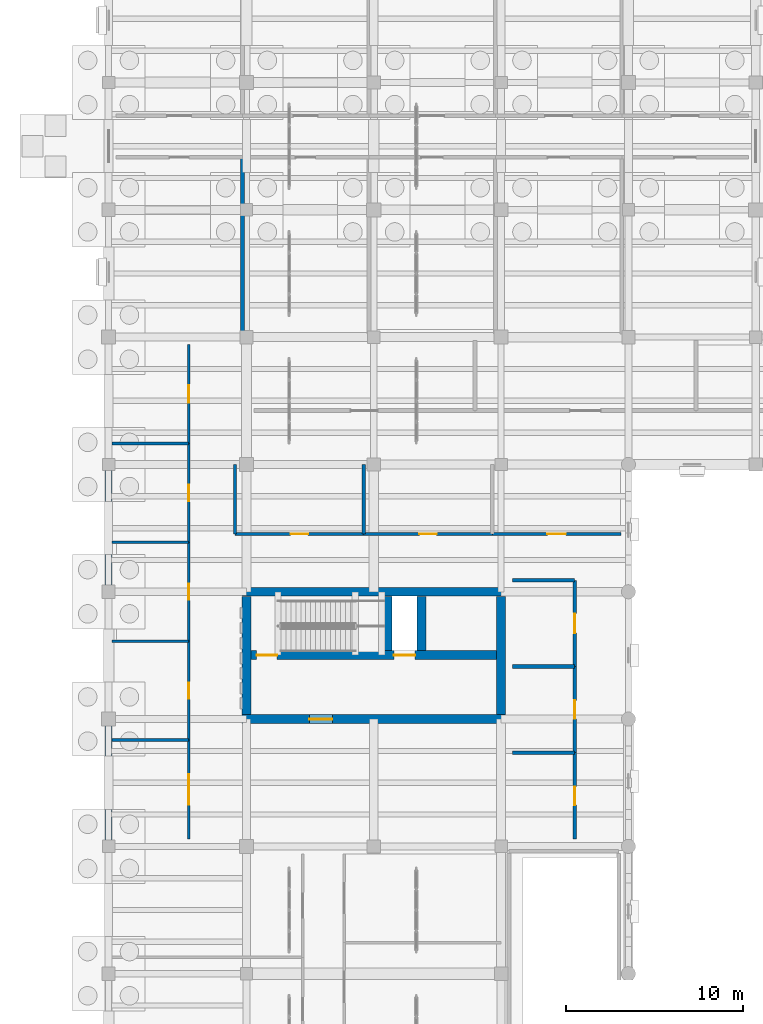
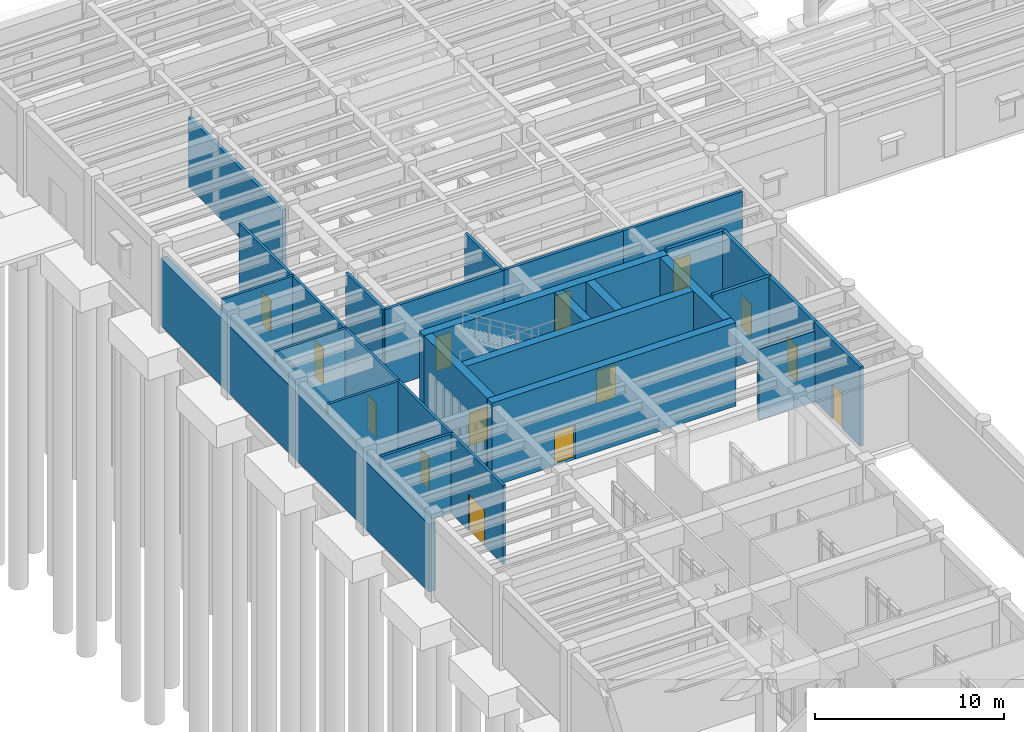
# One storey, part 74 of 100: 29 walls, 14 doors, 14 openings.
"""IFC4 building model written with IfcOpenShell, lengths in metres."""

from ifc_helpers import new_model, si_unit, direction, frame, frame_2d, origin, place, context, subcontext, project, spatial, rectangle, extrude, material, layer, layer_set, type_object, element, fill, save


model = new_model("IFC4")

# Units and contexts
model_context = context("Model", 3, precision=1e-05, world=origin(), true_north=direction((0.0, 1.0)))
body_context = subcontext(model_context, "Body", "Model", "MODEL_VIEW")
ifc_project = project(units=[si_unit("LENGTHUNIT", "METRE"), si_unit("AREAUNIT", "SQUARE_METRE"), si_unit("VOLUMEUNIT", "CUBIC_METRE"), si_unit("PLANEANGLEUNIT", "RADIAN"), si_unit("MASSUNIT", "GRAM", prefix="KILO")], contexts=[model_context])

# Site, building, storey
site_placement = place(None, origin())
site = spatial("IfcSite", under=ifc_project, at=site_placement, CompositionType="ELEMENT")
building_placement = place(site_placement, origin())
building = spatial("IfcBuilding", under=site, at=building_placement, Name="Mithqara Police Headquarters", CompositionType="ELEMENT")
storey_placement = place(building_placement, origin())
storey = spatial("IfcBuildingStorey", under=building, at=storey_placement, Name="L00", CompositionType="ELEMENT", Elevation=0.0)

# Wall, opening, door
ifc_material_1 = material(Name="Gypsum acoustic stud partition", Category="gypsum")
ifc_layer_1 = layer(ifc_material_1, 0.159912109375, Name="Gypsum acoustic stud partition")
ifc_layer_set_1 = layer_set([ifc_layer_1], Name="Gypsum acoustic stud partition")
wall_type_1 = type_object("IfcWallType", Name="PART WALL 160", PredefinedType="PARTITIONING", material=ifc_layer_set_1)
wall_1_placement = place(storey_placement, frame((4.530029296875, 57.419921875, 0.0), z_axis=(0.0, 0.0, 1.0), x_axis=(0.0, 1.0, 0.0)))
wall_1 = element("IfcWall", 1, at=wall_1_placement, inside=storey, type_object=wall_type_1, Name="L00 Corridor Wall Patrol Briefing Room", PredefinedType="PARTITIONING", context=body_context, shape_type="SweptSolid", body=[
    extrude(rectangle(XDim=5.592041015625, YDim=0.159912109375, at=frame_2d((2.7958984375, 0.0))), origin(), (0.0, 0.0, 1.0), 5.1201171875),
])
opening_1_placement = place(wall_1_placement, frame((1.93603515625, 0.0, 0.0)))
opening_1 = element("IfcOpeningElement", 2, at=opening_1_placement, cuts=wall_1, Name="Opening D-24", PredefinedType="OPENING", context=body_context, shape_type="SweptSolid", body=[
    extrude(rectangle(XDim=1.719970703125, YDim=2.35009765625, at=frame_2d((0.85986328125, 1.175048828125))), frame((0.0, 0.08984375, 0.0), z_axis=(0.0, -1.0, 0.0), x_axis=(1.0, 0.0, 0.0)), (0.0, 0.0, 1.0), 0.179931640625),
])
ifc_material_2 = material(Name="Bronze anodised aluminium 6063-T6", Category="aluminium")
door_type_1 = type_object("IfcDoorType", Name="INT DOOR 1720X2350", OperationType="NOTDEFINED", PredefinedType="DOOR", material=ifc_material_2)
door_1_placement = place(opening_1_placement, frame((1.719970703125, 0.0, 0.0), z_axis=(0.0, 0.0, 1.0), x_axis=(-1.0, 0.0, 0.0)))
door_1 = element("IfcDoor", 3, at=door_1_placement, inside=storey, type_object=door_type_1, Name="Patrol Briefing Room Entry Door", OperationType="DOUBLE_DOOR_SINGLE_SWING", OverallHeight=2.35009765625, OverallWidth=1.719970703125, PredefinedType="DOOR", context=body_context, shape_type="SweptSolid", body=[
    extrude(rectangle(XDim=1.719970703125, YDim=2.35009765625, at=frame_2d((0.85986328125, 1.175048828125))), frame((0.0, 0.02490234375, 0.0), z_axis=(0.0, -1.0, 0.0), x_axis=(1.0, 0.0, 0.0)), (0.0, 0.0, 1.0), 0.050048828125),
])
fill(opening_1, door_1)

# Wall
wall_2_placement = place(storey_placement, frame((0.179931640625, 63.011962890625, 0.0), z_axis=(0.0, 0.0, 1.0), x_axis=(1.0, 0.0, 0.0)))
element("IfcWall", 4, at=wall_2_placement, inside=storey, type_object=wall_type_1, Name="L00 Room Partition Patrol Briefing Room", PredefinedType="PARTITIONING", context=body_context, shape_type="SweptSolid", body=[
    extrude(rectangle(XDim=4.35009765625, YDim=0.159912109375, at=frame_2d((2.175048828125, 0.0))), origin(), (0.0, 0.0, 1.0), 5.1201171875),
])

# Wall, opening, door
wall_3_placement = place(storey_placement, frame((4.530029296875, 63.011962890625, 0.0), z_axis=(0.0, 0.0, 1.0), x_axis=(0.0, 1.0, 0.0)))
wall_3 = element("IfcWall", 5, at=wall_3_placement, inside=storey, type_object=wall_type_1, Name="L00 Corridor Wall Field Shift Assembly Room", PredefinedType="PARTITIONING", context=body_context, shape_type="SweptSolid", body=[
    extrude(rectangle(XDim=5.592041015625, YDim=0.159912109375, at=frame_2d((2.7958984375, 0.0))), origin(), (0.0, 0.0, 1.0), 5.1201171875),
])
opening_2_placement = place(wall_3_placement, frame((2.3359375, 0.0, 0.0)))
opening_2 = element("IfcOpeningElement", 6, at=opening_2_placement, cuts=wall_3, Name="Opening D-01", PredefinedType="OPENING", context=body_context, shape_type="SweptSolid", body=[
    extrude(rectangle(XDim=0.919921875, YDim=2.10009765625, at=frame_2d((0.4599609375, 1.050048828125))), frame((0.0, 0.08984375, 0.0), z_axis=(0.0, -1.0, 0.0), x_axis=(1.0, 0.0, 0.0)), (0.0, 0.0, 1.0), 0.179931640625),
])
ifc_material_3 = material(Name="Acoustic solid-core timber leaf", Category="wood")
door_type_2 = type_object("IfcDoorType", Name="INT DOOR 920X2100", OperationType="NOTDEFINED", PredefinedType="DOOR", material=ifc_material_3)
door_2_placement = place(opening_2_placement, frame((0.919921875, 0.0, 0.0), z_axis=(0.0, 0.0, 1.0), x_axis=(-1.0, 0.0, 0.0)))
door_2 = element("IfcDoor", 7, at=door_2_placement, inside=storey, type_object=door_type_2, Name="Field Shift Assembly Room Entry Door", OperationType="SINGLE_SWING_RIGHT", OverallHeight=2.10009765625, OverallWidth=0.919921875, PredefinedType="DOOR", context=body_context, shape_type="SweptSolid", body=[
    extrude(rectangle(XDim=0.919921875, YDim=2.10009765625, at=frame_2d((0.4599609375, 1.050048828125))), frame((0.0, 0.02490234375, 0.0), z_axis=(0.0, -1.0, 0.0), x_axis=(1.0, 0.0, 0.0)), (0.0, 0.0, 1.0), 0.050048828125),
])
fill(opening_2, door_2)

# Wall
wall_4_placement = place(storey_placement, frame((0.179931640625, 68.60400390625, 0.0), z_axis=(0.0, 0.0, 1.0), x_axis=(1.0, 0.0, 0.0)))
element("IfcWall", 8, at=wall_4_placement, inside=storey, type_object=wall_type_1, Name="L00 Room Partition Field Shift Assembly Room", PredefinedType="PARTITIONING", context=body_context, shape_type="SweptSolid", body=[
    extrude(rectangle(XDim=4.35009765625, YDim=0.159912109375, at=frame_2d((2.175048828125, 0.0))), origin(), (0.0, 0.0, 1.0), 5.1201171875),
])

# Wall, opening, door
wall_5_placement = place(storey_placement, frame((4.530029296875, 68.60400390625, 0.0), z_axis=(0.0, 0.0, 1.0), x_axis=(0.0, 1.0, 0.0)))
wall_5 = element("IfcWall", 9, at=wall_5_placement, inside=storey, type_object=wall_type_1, Name="L00 Corridor Wall Report Writing Room", PredefinedType="PARTITIONING", context=body_context, shape_type="SweptSolid", body=[
    extrude(rectangle(XDim=5.592041015625, YDim=0.159912109375, at=frame_2d((2.7958984375, 0.0))), origin(), (0.0, 0.0, 1.0), 5.1201171875),
])
opening_3_placement = place(wall_5_placement, frame((2.3359375, 0.0, 0.0)))
opening_3 = element("IfcOpeningElement", 10, at=opening_3_placement, cuts=wall_5, Name="Opening D-02", PredefinedType="OPENING", context=body_context, shape_type="SweptSolid", body=[
    extrude(rectangle(XDim=0.919921875, YDim=2.219970703125, at=frame_2d((0.4599609375, 1.10986328125))), frame((0.0, 0.08984375, 0.0), z_axis=(0.0, -1.0, 0.0), x_axis=(1.0, 0.0, 0.0)), (0.0, 0.0, 1.0), 0.179931640625),
])
door_type_3 = type_object("IfcDoorType", Name="INT DOOR 920X2220", OperationType="NOTDEFINED", PredefinedType="DOOR", material=ifc_material_3)
door_3_placement = place(opening_3_placement, frame((0.919921875, 0.0, 0.0), z_axis=(0.0, 0.0, 1.0), x_axis=(-1.0, 0.0, 0.0)))
door_3 = element("IfcDoor", 11, at=door_3_placement, inside=storey, type_object=door_type_3, Name="Report Writing Room Entry Door", OperationType="SINGLE_SWING_LEFT", OverallHeight=2.219970703125, OverallWidth=0.919921875, PredefinedType="DOOR", context=body_context, shape_type="SweptSolid", body=[
    extrude(rectangle(XDim=0.919921875, YDim=2.219970703125, at=frame_2d((0.4599609375, 1.10986328125))), frame((0.0, 0.02490234375, 0.0), z_axis=(0.0, -1.0, 0.0), x_axis=(1.0, 0.0, 0.0)), (0.0, 0.0, 1.0), 0.050048828125),
])
fill(opening_3, door_3)

# Wall
wall_6_placement = place(storey_placement, frame((0.179931640625, 74.196044921875, 0.0), z_axis=(0.0, 0.0, 1.0), x_axis=(1.0, 0.0, 0.0)))
element("IfcWall", 12, at=wall_6_placement, inside=storey, type_object=wall_type_1, Name="L00 Room Partition Report Writing Room", PredefinedType="PARTITIONING", context=body_context, shape_type="SweptSolid", body=[
    extrude(rectangle(XDim=4.35009765625, YDim=0.159912109375, at=frame_2d((2.175048828125, 0.0))), origin(), (0.0, 0.0, 1.0), 5.1201171875),
])

# Wall, opening, door
wall_7_placement = place(storey_placement, frame((4.530029296875, 74.196044921875, 0.0), z_axis=(0.0, 0.0, 1.0), x_axis=(0.0, 1.0, 0.0)))
wall_7 = element("IfcWall", 13, at=wall_7_placement, inside=storey, type_object=wall_type_1, Name="L00 Corridor Wall Duty Equipment Store", PredefinedType="PARTITIONING", context=body_context, shape_type="SweptSolid", body=[
    extrude(rectangle(XDim=5.592041015625, YDim=0.159912109375, at=frame_2d((2.7958984375, 0.0))), origin(), (0.0, 0.0, 1.0), 5.1201171875),
])
opening_4_placement = place(wall_7_placement, frame((2.3359375, 0.0, 0.0)))
opening_4 = element("IfcOpeningElement", 14, at=opening_4_placement, cuts=wall_7, Name="Opening D-03", PredefinedType="OPENING", context=body_context, shape_type="SweptSolid", body=[
    extrude(rectangle(XDim=0.919921875, YDim=2.35009765625, at=frame_2d((0.4599609375, 1.175048828125))), frame((0.0, 0.08984375, 0.0), z_axis=(0.0, -1.0, 0.0), x_axis=(1.0, 0.0, 0.0)), (0.0, 0.0, 1.0), 0.179931640625),
])
door_type_4 = type_object("IfcDoorType", Name="INT DOOR 920X2350", OperationType="NOTDEFINED", PredefinedType="DOOR", material=ifc_material_3)
door_4_placement = place(opening_4_placement, frame((0.919921875, 0.0, 0.0), z_axis=(0.0, 0.0, 1.0), x_axis=(-1.0, 0.0, 0.0)))
door_4 = element("IfcDoor", 15, at=door_4_placement, inside=storey, type_object=door_type_4, Name="Duty Equipment Store Entry Door", OperationType="SINGLE_SWING_RIGHT", OverallHeight=2.35009765625, OverallWidth=0.919921875, PredefinedType="DOOR", context=body_context, shape_type="SweptSolid", body=[
    extrude(rectangle(XDim=0.919921875, YDim=2.35009765625, at=frame_2d((0.4599609375, 1.175048828125))), frame((0.0, 0.02490234375, 0.0), z_axis=(0.0, -1.0, 0.0), x_axis=(1.0, 0.0, 0.0)), (0.0, 0.0, 1.0), 0.050048828125),
])
fill(opening_4, door_4)

# Wall
wall_8_placement = place(storey_placement, frame((0.179931640625, 79.7880859375, 0.0), z_axis=(0.0, 0.0, 1.0), x_axis=(1.0, 0.0, 0.0)))
element("IfcWall", 16, at=wall_8_placement, inside=storey, type_object=wall_type_1, Name="L00 Room Partition Duty Equipment Store", PredefinedType="PARTITIONING", context=body_context, shape_type="SweptSolid", body=[
    extrude(rectangle(XDim=4.35009765625, YDim=0.159912109375, at=frame_2d((2.175048828125, 0.0))), origin(), (0.0, 0.0, 1.0), 5.1201171875),
])

# Wall, opening, door
wall_9_placement = place(storey_placement, frame((4.530029296875, 79.7880859375, 0.0), z_axis=(0.0, 0.0, 1.0), x_axis=(0.0, 1.0, 0.0)))
wall_9 = element("IfcWall", 17, at=wall_9_placement, inside=storey, type_object=wall_type_1, Name="L00 Corridor Wall Patrol Briefing Room", PredefinedType="PARTITIONING", context=body_context, shape_type="SweptSolid", body=[
    extrude(rectangle(XDim=5.591796875, YDim=0.159912109375, at=frame_2d((2.7958984375, 0.0))), origin(), (0.0, 0.0, 1.0), 5.1201171875),
])
opening_5_placement = place(wall_9_placement, frame((2.305908203125, 0.0, 0.0)))
opening_5 = element("IfcOpeningElement", 18, at=opening_5_placement, cuts=wall_9, Name="Opening D-04", PredefinedType="OPENING", context=body_context, shape_type="SweptSolid", body=[
    extrude(rectangle(XDim=0.97998046875, YDim=2.10009765625, at=frame_2d((0.489990234375, 1.050048828125))), frame((0.0, 0.08984375, 0.0), z_axis=(0.0, -1.0, 0.0), x_axis=(1.0, 0.0, 0.0)), (0.0, 0.0, 1.0), 0.179931640625),
])
door_type_5 = type_object("IfcDoorType", Name="INT DOOR 980X2100", OperationType="NOTDEFINED", PredefinedType="DOOR", material=ifc_material_3)
door_5_placement = place(opening_5_placement, frame((0.97998046875, 0.0, 0.0), z_axis=(0.0, 0.0, 1.0), x_axis=(-1.0, 0.0, 0.0)))
door_5 = element("IfcDoor", 19, at=door_5_placement, inside=storey, type_object=door_type_5, Name="Patrol Briefing Room Entry Door", OperationType="SINGLE_SWING_LEFT", OverallHeight=2.10009765625, OverallWidth=0.97998046875, PredefinedType="DOOR", context=body_context, shape_type="SweptSolid", body=[
    extrude(rectangle(XDim=0.97998046875, YDim=2.10009765625, at=frame_2d((0.489990234375, 1.050048828125))), frame((0.0, 0.02490234375, 0.0), z_axis=(0.0, -1.0, 0.0), x_axis=(1.0, 0.0, 0.0)), (0.0, 0.0, 1.0), 0.050048828125),
])
fill(opening_5, door_5)

# Wall
ifc_material_4 = material(Name="Concrete C40/50", Category="concrete")
ifc_layer_2 = layer(ifc_material_4, 0.179931640625, Name="Concrete C40/50")
ifc_layer_set_2 = layer_set([ifc_layer_2], Name="Concrete C40/50")
wall_type_2 = type_object("IfcWallType", Name="PART WALL 180", PredefinedType="PARTITIONING", material=ifc_layer_set_2)
wall_10_placement = place(storey_placement, frame((7.14990234375, 74.669921875, 0.0), z_axis=(0.0, 0.0, 1.0), x_axis=(0.0, 1.0, 0.0)))
element("IfcWall", 20, at=wall_10_placement, inside=storey, type_object=wall_type_2, Name="L00 Partition End Closure E0", PredefinedType="PARTITIONING", context=body_context, shape_type="SweptSolid", body=[
    extrude(rectangle(XDim=3.93017578125, YDim=0.179931640625, at=frame_2d((1.965087890625, 0.0))), origin(), (0.0, 0.0, 1.0), 5.1201171875),
])

# Wall, opening, door
wall_11_placement = place(storey_placement, frame((7.14990234375, 74.669921875, 0.0), z_axis=(0.0, 0.0, 1.0), x_axis=(1.0, 0.0, 0.0)))
wall_11 = element("IfcWall", 21, at=wall_11_placement, inside=storey, type_object=wall_type_2, Name="L00 Corridor Wall Patrol Briefing Room", PredefinedType="PARTITIONING", context=body_context, shape_type="SweptSolid", body=[
    extrude(rectangle(XDim=7.277099609375, YDim=0.179931640625, at=frame_2d((3.638671875, 0.0))), origin(), (0.0, 0.0, 1.0), 5.1201171875),
])
opening_6_placement = place(wall_11_placement, frame((3.1484375, 0.0, 0.0)))
opening_6 = element("IfcOpeningElement", 22, at=opening_6_placement, cuts=wall_11, Name="Opening D-05", PredefinedType="OPENING", context=body_context, shape_type="SweptSolid", body=[
    extrude(rectangle(XDim=0.97998046875, YDim=2.219970703125, at=frame_2d((0.489990234375, 1.10986328125))), frame((0.0, 0.10009765625, 0.0), z_axis=(0.0, -1.0, 0.0), x_axis=(1.0, 0.0, 0.0)), (0.0, 0.0, 1.0), 0.199951171875),
])
door_type_6 = type_object("IfcDoorType", Name="INT DOOR 980X2220", OperationType="NOTDEFINED", PredefinedType="DOOR", material=ifc_material_3)
door_6_placement = place(opening_6_placement, origin())
door_6 = element("IfcDoor", 23, at=door_6_placement, inside=storey, type_object=door_type_6, Name="Patrol Briefing Room Entry Door", OperationType="SINGLE_SWING_RIGHT", OverallHeight=2.219970703125, OverallWidth=0.97998046875, PredefinedType="DOOR", context=body_context, shape_type="SweptSolid", body=[
    extrude(rectangle(XDim=0.97998046875, YDim=2.219970703125, at=frame_2d((0.489990234375, 1.10986328125))), frame((0.0, 0.02490234375, 0.0), z_axis=(0.0, -1.0, 0.0), x_axis=(1.0, 0.0, 0.0)), (0.0, 0.0, 1.0), 0.050048828125),
])
fill(opening_6, door_6)

# Wall
wall_12_placement = place(storey_placement, frame((14.427001953125, 74.669921875, 0.0), z_axis=(0.0, 0.0, 1.0), x_axis=(0.0, 1.0, 0.0)))
element("IfcWall", 24, at=wall_12_placement, inside=storey, type_object=wall_type_2, Name="L00 Room Partition Patrol Briefing Room", PredefinedType="PARTITIONING", context=body_context, shape_type="SweptSolid", body=[
    extrude(rectangle(XDim=3.93017578125, YDim=0.179931640625, at=frame_2d((1.965087890625, 0.0))), origin(), (0.0, 0.0, 1.0), 5.1201171875),
])

# Wall, opening, door
wall_13_placement = place(storey_placement, frame((14.427001953125, 74.669921875, 0.0), z_axis=(0.0, 0.0, 1.0), x_axis=(1.0, 0.0, 0.0)))
wall_13 = element("IfcWall", 25, at=wall_13_placement, inside=storey, type_object=wall_type_2, Name="L00 Corridor Wall Field Shift Assembly Room", PredefinedType="PARTITIONING", context=body_context, shape_type="SweptSolid", body=[
    extrude(rectangle(XDim=7.27587890625, YDim=0.179931640625, at=frame_2d((3.637939453125, 0.0))), origin(), (0.0, 0.0, 1.0), 5.1201171875),
])
opening_7_placement = place(wall_13_placement, frame((3.14794921875, 0.0, 0.0)))
opening_7 = element("IfcOpeningElement", 26, at=opening_7_placement, cuts=wall_13, Name="Opening D-06", PredefinedType="OPENING", context=body_context, shape_type="SweptSolid", body=[
    extrude(rectangle(XDim=0.97998046875, YDim=2.35009765625, at=frame_2d((0.489990234375, 1.175048828125))), frame((0.0, 0.10009765625, 0.0), z_axis=(0.0, -1.0, 0.0), x_axis=(1.0, 0.0, 0.0)), (0.0, 0.0, 1.0), 0.199951171875),
])
door_type_7 = type_object("IfcDoorType", Name="INT DOOR 980X2350", OperationType="NOTDEFINED", PredefinedType="DOOR", material=ifc_material_3)
door_7_placement = place(opening_7_placement, origin())
door_7 = element("IfcDoor", 27, at=door_7_placement, inside=storey, type_object=door_type_7, Name="Field Shift Assembly Room Entry Door", OperationType="SINGLE_SWING_LEFT", OverallHeight=2.35009765625, OverallWidth=0.97998046875, PredefinedType="DOOR", context=body_context, shape_type="SweptSolid", body=[
    extrude(rectangle(XDim=0.97998046875, YDim=2.35009765625, at=frame_2d((0.489990234375, 1.175048828125))), frame((0.0, 0.02490234375, 0.0), z_axis=(0.0, -1.0, 0.0), x_axis=(1.0, 0.0, 0.0)), (0.0, 0.0, 1.0), 0.050048828125),
])
fill(opening_7, door_7)

wall_14_placement = place(storey_placement, frame((21.702880859375, 74.669921875, 0.0), z_axis=(0.0, 0.0, 1.0), x_axis=(1.0, 0.0, 0.0)))
wall_14 = element("IfcWall", 28, at=wall_14_placement, inside=storey, type_object=wall_type_2, Name="L00 Corridor Wall Report Writing Room", PredefinedType="PARTITIONING", context=body_context, shape_type="SweptSolid", body=[
    extrude(rectangle(XDim=7.277099609375, YDim=0.179931640625, at=frame_2d((3.638671875, 0.0))), origin(), (0.0, 0.0, 1.0), 5.1201171875),
])
opening_8_placement = place(wall_14_placement, frame((3.118408203125, 0.0, 0.0)))
opening_8 = element("IfcOpeningElement", 29, at=opening_8_placement, cuts=wall_14, Name="Opening D-07", PredefinedType="OPENING", context=body_context, shape_type="SweptSolid", body=[
    extrude(rectangle(XDim=1.0400390625, YDim=2.10009765625, at=frame_2d((0.52001953125, 1.050048828125))), frame((0.0, 0.10009765625, 0.0), z_axis=(0.0, -1.0, 0.0), x_axis=(1.0, 0.0, 0.0)), (0.0, 0.0, 1.0), 0.199951171875),
])
door_type_8 = type_object("IfcDoorType", Name="INT DOOR 1040X2100", OperationType="NOTDEFINED", PredefinedType="DOOR", material=ifc_material_3)
door_8_placement = place(opening_8_placement, origin())
door_8 = element("IfcDoor", 30, at=door_8_placement, inside=storey, type_object=door_type_8, Name="Report Writing Room Entry Door", OperationType="SINGLE_SWING_RIGHT", OverallHeight=2.10009765625, OverallWidth=1.0400390625, PredefinedType="DOOR", context=body_context, shape_type="SweptSolid", body=[
    extrude(rectangle(XDim=1.0400390625, YDim=2.10009765625, at=frame_2d((0.52001953125, 1.050048828125))), frame((0.0, 0.02490234375, 0.0), z_axis=(0.0, -1.0, 0.0), x_axis=(1.0, 0.0, 0.0)), (0.0, 0.0, 1.0), 0.050048828125),
])
fill(opening_8, door_8)

# Walls
ifc_layer_3 = layer(ifc_material_4, 0.2099609375, Name="Concrete C40/50")
ifc_layer_set_3 = layer_set([ifc_layer_3], Name="Concrete C40/50")
wall_type_3 = type_object("IfcWallType", Name="PART WALL 210", PredefinedType="PARTITIONING", material=ifc_layer_set_3)
wall_15_placement = place(storey_placement, frame((7.572021484375, 85.97998046875, 0.0), z_axis=(0.0, 0.0, 1.0), x_axis=(0.0, 1.0, 0.0)))
element("IfcWall", 31, at=wall_15_placement, inside=storey, type_object=wall_type_3, Name="L00 Room Partition Public Licensing Hall", PredefinedType="PARTITIONING", context=body_context, shape_type="SweptSolid", body=[
    extrude(rectangle(XDim=10.0, YDim=0.2099609375, at=frame_2d((5.0, 0.0))), origin(), (0.0, 0.0, 1.0), 4.52001953125),
])
wall_16_placement = place(storey_placement, frame((22.85009765625, 72.050048828125, 0.0), z_axis=(0.0, 0.0, 1.0), x_axis=(1.0, 0.0, 0.0)))
element("IfcWall", 32, at=wall_16_placement, inside=storey, type_object=wall_type_3, Name="L00 Partition End Closure E1", PredefinedType="PARTITIONING", context=body_context, shape_type="SweptSolid", body=[
    extrude(rectangle(XDim=3.510009765625, YDim=0.2099609375, at=frame_2d((1.7548828125, 0.0))), origin(), (0.0, 0.0, 1.0), 5.1201171875),
])

# Wall, opening, door
wall_17_placement = place(storey_placement, frame((26.360107421875, 57.419921875, 0.0), z_axis=(0.0, 0.0, 1.0), x_axis=(0.0, 1.0, 0.0)))
wall_17 = element("IfcWall", 33, at=wall_17_placement, inside=storey, type_object=wall_type_3, Name="L00 Corridor Wall Patrol Briefing Room", PredefinedType="PARTITIONING", context=body_context, shape_type="SweptSolid", body=[
    extrude(rectangle(XDim=4.877197265625, YDim=0.2099609375, at=frame_2d((2.4384765625, 0.0))), origin(), (0.0, 0.0, 1.0), 5.1201171875),
])
opening_9_placement = place(wall_17_placement, frame((1.91845703125, 0.0, 0.0)))
opening_9 = element("IfcOpeningElement", 34, at=opening_9_placement, cuts=wall_17, Name="Opening D-08", PredefinedType="OPENING", context=body_context, shape_type="SweptSolid", body=[
    extrude(rectangle(XDim=1.0400390625, YDim=2.219970703125, at=frame_2d((0.52001953125, 1.10986328125))), frame((0.0, 0.114990234375, 0.0), z_axis=(0.0, -1.0, 0.0), x_axis=(1.0, 0.0, 0.0)), (0.0, 0.0, 1.0), 0.22998046875),
])
door_type_9 = type_object("IfcDoorType", Name="INT DOOR 1040X2220", OperationType="NOTDEFINED", PredefinedType="DOOR", material=ifc_material_3)
door_9_placement = place(opening_9_placement, frame((1.0400390625, 0.0, 0.0), z_axis=(0.0, 0.0, 1.0), x_axis=(-1.0, 0.0, 0.0)))
door_9 = element("IfcDoor", 35, at=door_9_placement, inside=storey, type_object=door_type_9, Name="Patrol Briefing Room Entry Door", OperationType="SINGLE_SWING_LEFT", OverallHeight=2.219970703125, OverallWidth=1.0400390625, PredefinedType="DOOR", context=body_context, shape_type="SweptSolid", body=[
    extrude(rectangle(XDim=1.0400390625, YDim=2.219970703125, at=frame_2d((0.52001953125, 1.10986328125))), frame((0.0, 0.02490234375, 0.0), z_axis=(0.0, -1.0, 0.0), x_axis=(1.0, 0.0, 0.0)), (0.0, 0.0, 1.0), 0.050048828125),
])
fill(opening_9, door_9)

# Wall
wall_18_placement = place(storey_placement, frame((22.85009765625, 62.297119140625, 0.0), z_axis=(0.0, 0.0, 1.0), x_axis=(1.0, 0.0, 0.0)))
element("IfcWall", 36, at=wall_18_placement, inside=storey, type_object=wall_type_3, Name="L00 Room Partition Patrol Briefing Room", PredefinedType="PARTITIONING", context=body_context, shape_type="SweptSolid", body=[
    extrude(rectangle(XDim=3.510009765625, YDim=0.2099609375, at=frame_2d((1.7548828125, 0.0))), origin(), (0.0, 0.0, 1.0), 4.570068359375),
])

# Wall, opening, door
wall_19_placement = place(storey_placement, frame((26.360107421875, 62.297119140625, 0.0), z_axis=(0.0, 0.0, 1.0), x_axis=(0.0, 1.0, 0.0)))
wall_19 = element("IfcWall", 37, at=wall_19_placement, inside=storey, type_object=wall_type_3, Name="L00 Corridor Wall Field Shift Assembly Room", PredefinedType="PARTITIONING", context=body_context, shape_type="SweptSolid", body=[
    extrude(rectangle(XDim=4.8759765625, YDim=0.2099609375, at=frame_2d((2.43798828125, 0.0))), origin(), (0.0, 0.0, 1.0), 5.1201171875),
])
opening_10_placement = place(wall_19_placement, frame((1.91796875, 0.0, 0.0)))
opening_10 = element("IfcOpeningElement", 38, at=opening_10_placement, cuts=wall_19, Name="Opening D-09", PredefinedType="OPENING", context=body_context, shape_type="SweptSolid", body=[
    extrude(rectangle(XDim=1.0400390625, YDim=2.35009765625, at=frame_2d((0.52001953125, 1.175048828125))), frame((0.0, 0.114990234375, 0.0), z_axis=(0.0, -1.0, 0.0), x_axis=(1.0, 0.0, 0.0)), (0.0, 0.0, 1.0), 0.22998046875),
])
door_type_10 = type_object("IfcDoorType", Name="INT DOOR 1040X2350", OperationType="NOTDEFINED", PredefinedType="DOOR", material=ifc_material_3)
door_10_placement = place(opening_10_placement, frame((1.0400390625, 0.0, 0.0), z_axis=(0.0, 0.0, 1.0), x_axis=(-1.0, 0.0, 0.0)))
door_10 = element("IfcDoor", 39, at=door_10_placement, inside=storey, type_object=door_type_10, Name="Field Shift Assembly Room Entry Door", OperationType="SINGLE_SWING_RIGHT", OverallHeight=2.35009765625, OverallWidth=1.0400390625, PredefinedType="DOOR", context=body_context, shape_type="SweptSolid", body=[
    extrude(rectangle(XDim=1.0400390625, YDim=2.35009765625, at=frame_2d((0.52001953125, 1.175048828125))), frame((0.0, 0.02490234375, 0.0), z_axis=(0.0, -1.0, 0.0), x_axis=(1.0, 0.0, 0.0)), (0.0, 0.0, 1.0), 0.050048828125),
])
fill(opening_10, door_10)

# Wall
wall_20_placement = place(storey_placement, frame((22.85009765625, 67.173095703125, 0.0), z_axis=(0.0, 0.0, 1.0), x_axis=(1.0, 0.0, 0.0)))
element("IfcWall", 40, at=wall_20_placement, inside=storey, type_object=wall_type_3, Name="L00 Room Partition Field Shift Assembly Room", PredefinedType="PARTITIONING", context=body_context, shape_type="SweptSolid", body=[
    extrude(rectangle(XDim=3.510009765625, YDim=0.2099609375, at=frame_2d((1.7548828125, 0.0))), origin(), (0.0, 0.0, 1.0), 5.1201171875),
])

# Wall, opening, door
wall_21_placement = place(storey_placement, frame((26.360107421875, 67.173095703125, 0.0), z_axis=(0.0, 0.0, 1.0), x_axis=(0.0, 1.0, 0.0)))
wall_21 = element("IfcWall", 41, at=wall_21_placement, inside=storey, type_object=wall_type_3, Name="L00 Corridor Wall Report Writing Room", PredefinedType="PARTITIONING", context=body_context, shape_type="SweptSolid", body=[
    extrude(rectangle(XDim=4.876953125, YDim=0.2099609375, at=frame_2d((2.4384765625, 0.0))), origin(), (0.0, 0.0, 1.0), 5.1201171875),
])
opening_11_placement = place(wall_21_placement, frame((1.888427734375, 0.0, 0.0)))
opening_11 = element("IfcOpeningElement", 42, at=opening_11_placement, cuts=wall_21, Name="Opening D-10", PredefinedType="OPENING", context=body_context, shape_type="SweptSolid", body=[
    extrude(rectangle(XDim=1.10009765625, YDim=2.10009765625, at=frame_2d((0.550048828125, 1.050048828125))), frame((0.0, 0.114990234375, 0.0), z_axis=(0.0, -1.0, 0.0), x_axis=(1.0, 0.0, 0.0)), (0.0, 0.0, 1.0), 0.22998046875),
])
door_type_11 = type_object("IfcDoorType", Name="INT DOOR 1100X2100", OperationType="NOTDEFINED", PredefinedType="DOOR", material=ifc_material_3)
door_11_placement = place(opening_11_placement, frame((1.10009765625, 0.0, 0.0), z_axis=(0.0, 0.0, 1.0), x_axis=(-1.0, 0.0, 0.0)))
door_11 = element("IfcDoor", 43, at=door_11_placement, inside=storey, type_object=door_type_11, Name="Report Writing Room Entry Door", OperationType="SINGLE_SWING_LEFT", OverallHeight=2.10009765625, OverallWidth=1.10009765625, PredefinedType="DOOR", context=body_context, shape_type="SweptSolid", body=[
    extrude(rectangle(XDim=1.10009765625, YDim=2.10009765625, at=frame_2d((0.550048828125, 1.050048828125))), frame((0.0, 0.02490234375, 0.0), z_axis=(0.0, -1.0, 0.0), x_axis=(1.0, 0.0, 0.0)), (0.0, 0.0, 1.0), 0.050048828125),
])
fill(opening_11, door_11)

# Walls
ifc_layer_4 = layer(ifc_material_4, 0.39990234375, Name="Concrete C40/50")
ifc_layer_set_4 = layer_set([ifc_layer_4], Name="Concrete C40/50")
wall_type_4 = type_object("IfcWallType", Name="PARTY WALL 400", PredefinedType="SOLIDWALL", material=ifc_layer_set_4)
wall_22_placement = place(storey_placement, frame((0.0, 85.60009765625, 0.0), z_axis=(0.0, 0.0, 1.0), x_axis=(0.0, -1.0, 0.0)))
element("IfcWall", 44, at=wall_22_placement, inside=storey, type_object=wall_type_4, Name="L00 Exterior Wall 15.1", PredefinedType="SOLIDWALL", context=body_context, shape_type="SweptSolid", body=[
    extrude(rectangle(XDim=28.400146484375, YDim=0.39990234375, at=frame_2d((14.2001953125, 0.0))), origin(), (0.0, 0.0, 1.0), 4.3701171875),
])
ifc_material_5 = material(Name="Concrete C50/60", Category="concrete")
ifc_layer_5 = layer(ifc_material_5, 0.5, Name="Concrete C50/60")
ifc_layer_set_5 = layer_set([ifc_layer_5], Name="Concrete C50/60")
wall_type_5 = type_object("IfcWallType", Name="SHEAR WALL 500", PredefinedType="SHEAR", material=ifc_layer_set_5)
wall_23_placement = place(storey_placement, frame((7.550048828125, 71.39990234375, 0.0), z_axis=(0.0, 0.0, 1.0), x_axis=(1.0, 0.0, 0.0)))
element("IfcWall", 45, at=wall_23_placement, inside=storey, type_object=wall_type_5, Name="Core C3 Operations West Shear Wall N", PredefinedType="SHEAR", context=body_context, shape_type="SweptSolid", body=[
    extrude(rectangle(XDim=14.89990234375, YDim=0.5, at=frame_2d((7.449951171875, 0.0))), origin(), (0.0, 0.0, 1.0), 5.39990234375),
])

# Wall, opening, door
wall_24_placement = place(storey_placement, frame((7.550048828125, 64.199951171875, 0.0), z_axis=(0.0, 0.0, 1.0), x_axis=(1.0, 0.0, 0.0)))
wall_24 = element("IfcWall", 46, at=wall_24_placement, inside=storey, type_object=wall_type_5, Name="Core C3 Operations West Shear Wall S", PredefinedType="SHEAR", context=body_context, shape_type="SweptSolid", body=[
    extrude(rectangle(XDim=14.89990234375, YDim=0.5, at=frame_2d((7.449951171875, 0.0))), origin(), (0.0, 0.0, 1.0), 5.39990234375),
])
opening_12_placement = place(wall_24_placement, frame((3.800048828125, 0.0, 0.0)))
opening_12 = element("IfcOpeningElement", 47, at=opening_12_placement, cuts=wall_24, Name="Opening FD-02", PredefinedType="OPENING", context=body_context, shape_type="SweptSolid", body=[
    extrude(rectangle(XDim=1.300048828125, YDim=2.199951171875, at=frame_2d((0.64990234375, 1.10009765625))), frame((0.0, 0.260009765625, 0.0), z_axis=(0.0, -1.0, 0.0), x_axis=(1.0, 0.0, 0.0)), (0.0, 0.0, 1.0), 0.52001953125),
])
ifc_material_6 = material(Name="Steel S355JR", Category="steel")
door_type_12 = type_object("IfcDoorType", Name="CORE DOOR LOBBY 1300X2200", OperationType="NOTDEFINED", PredefinedType="DOOR", material=ifc_material_6)
door_12_placement = place(opening_12_placement, frame((1.300048828125, 0.0, 0.0), z_axis=(0.0, 0.0, 1.0), x_axis=(-1.0, 0.0, 0.0)))
door_12 = element("IfcDoor", 48, at=door_12_placement, inside=storey, type_object=door_type_12, Name="Core C3 Operations West Lobby Fire Door L00", OperationType="SINGLE_SWING_LEFT", OverallHeight=2.199951171875, OverallWidth=1.300048828125, PredefinedType="DOOR", context=body_context, shape_type="SweptSolid", body=[
    extrude(rectangle(XDim=1.300048828125, YDim=2.199951171875, at=frame_2d((0.64990234375, 1.10009765625))), frame((0.0, 0.02490234375, 0.0), z_axis=(0.0, -1.0, 0.0), x_axis=(1.0, 0.0, 0.0)), (0.0, 0.0, 1.0), 0.050048828125),
])
fill(opening_12, door_12)

# Walls
for number, where, z_axis, x_axis, name in (
    (49, (7.800048828125, 64.4599609375, 0.0), (0.0, 0.0, 1.0), (0.0, 1.0, 0.0), "Core C3 Operations West Shear Wall W"),
    (50, (22.199951171875, 64.4599609375, 0.0), (0.0, 0.0, 1.0), (0.0, 1.0, 0.0), "Core C3 Operations West Shear Wall E"),
):
    element("IfcWall", number, at=place(storey_placement, frame(where, z_axis=z_axis, x_axis=x_axis)), inside=storey, type_object=wall_type_5, Name=name, PredefinedType="SHEAR", context=body_context, shape_type="SweptSolid", body=[
        extrude(rectangle(XDim=6.679931640625, YDim=0.5, at=frame_2d((3.33984375, 0.0))), origin(), (0.0, 0.0, 1.0), 5.39990234375),
    ])

# Wall, openings, doors
wall_25_placement = place(storey_placement, frame((8.06005859375, 67.820068359375, 0.0), z_axis=(0.0, 0.0, 1.0), x_axis=(1.0, 0.0, 0.0)))
wall_25 = element("IfcWall", 51, at=wall_25_placement, inside=storey, type_object=wall_type_5, Name="Core C3 Operations West Shear Wall M", PredefinedType="SHEAR", context=body_context, shape_type="SweptSolid", body=[
    extrude(rectangle(XDim=13.8798828125, YDim=0.5, at=frame_2d((6.93994140625, 0.0))), origin(), (0.0, 0.0, 1.0), 5.39990234375),
])
opening_13_placement = place(wall_25_placement, frame((8.080078125, 0.0, 0.0)))
opening_13 = element("IfcOpeningElement", 52, at=opening_13_placement, cuts=wall_25, Name="Opening LD-02", PredefinedType="OPENING", context=body_context, shape_type="SweptSolid", body=[
    extrude(rectangle(XDim=1.199951171875, YDim=2.14990234375, at=frame_2d((0.60009765625, 1.074951171875))), frame((0.0, 0.260009765625, 0.0), z_axis=(0.0, -1.0, 0.0), x_axis=(1.0, 0.0, 0.0)), (0.0, 0.0, 1.0), 0.52001953125),
])
opening_14_placement = place(wall_25_placement, frame((0.31494140625, 0.0, 0.0)))
opening_14 = element("IfcOpeningElement", 53, at=opening_14_placement, cuts=wall_25, Name="Opening FD-01", PredefinedType="OPENING", context=body_context, shape_type="SweptSolid", body=[
    extrude(rectangle(XDim=1.14990234375, YDim=2.14990234375, at=frame_2d((0.574951171875, 1.074951171875))), frame((0.0, 0.260009765625, 0.0), z_axis=(0.0, -1.0, 0.0), x_axis=(1.0, 0.0, 0.0)), (0.0, 0.0, 1.0), 0.52001953125),
])
door_type_13 = type_object("IfcDoorType", Name="CORE DOOR STAIR 1150X2150", OperationType="NOTDEFINED", PredefinedType="DOOR", material=ifc_material_6)
door_13_placement = place(opening_14_placement, origin())
door_13 = element("IfcDoor", 54, at=door_13_placement, inside=storey, type_object=door_type_13, Name="Stair ST-03 Fire Door L00", OperationType="SINGLE_SWING_LEFT", OverallHeight=2.14990234375, OverallWidth=1.14990234375, PredefinedType="DOOR", context=body_context, shape_type="SweptSolid", body=[
    extrude(rectangle(XDim=1.14990234375, YDim=2.14990234375, at=frame_2d((0.574951171875, 1.074951171875))), frame((0.0, 0.02490234375, 0.0), z_axis=(0.0, -1.0, 0.0), x_axis=(1.0, 0.0, 0.0)), (0.0, 0.0, 1.0), 0.050048828125),
])
fill(opening_14, door_13)
door_type_14 = type_object("IfcDoorType", Name="LIFT DOOR 1200X2150", OperationType="DOUBLE_DOOR_SLIDING", PredefinedType="DOOR", material=ifc_material_6)
door_14_placement = place(opening_13_placement, frame((1.199951171875, 0.0, 0.0), z_axis=(0.0, 0.0, 1.0), x_axis=(-1.0, 0.0, 0.0)))
door_14 = element("IfcDoor", 55, at=door_14_placement, inside=storey, type_object=door_type_14, Name="Lift Landing Door LP-05-L00", OperationType="DOUBLE_DOOR_SLIDING", OverallHeight=2.14990234375, OverallWidth=1.199951171875, PredefinedType="DOOR", context=body_context, shape_type="SweptSolid", body=[
    extrude(rectangle(XDim=1.199951171875, YDim=2.14990234375, at=frame_2d((0.60009765625, 1.074951171875))), frame((0.0, 0.02490234375, 0.0), z_axis=(0.0, -1.0, 0.0), x_axis=(1.0, 0.0, 0.0)), (0.0, 0.0, 1.0), 0.050048828125),
])
fill(opening_13, door_14)

# Walls
for number, where, z_axis, x_axis, name in (
    (56, (15.780029296875, 68.080078125, 0.0), (0.0, 0.0, 1.0), (0.0, 1.0, 0.0), "Core C3 Operations West Shear Wall X"),
    (57, (17.699951171875, 68.080078125, 0.0), (0.0, 0.0, 1.0), (0.0, 1.0, 0.0), "Core C3 Operations West Shear Wall L1"),
):
    element("IfcWall", number, at=place(storey_placement, frame(where, z_axis=z_axis, x_axis=x_axis)), inside=storey, type_object=wall_type_5, Name=name, PredefinedType="SHEAR", context=body_context, shape_type="SweptSolid", body=[
        extrude(rectangle(XDim=3.059814453125, YDim=0.5, at=frame_2d((1.52978515625, 0.0))), origin(), (0.0, 0.0, 1.0), 5.39990234375),
    ])

save(model, "model.ifc")
